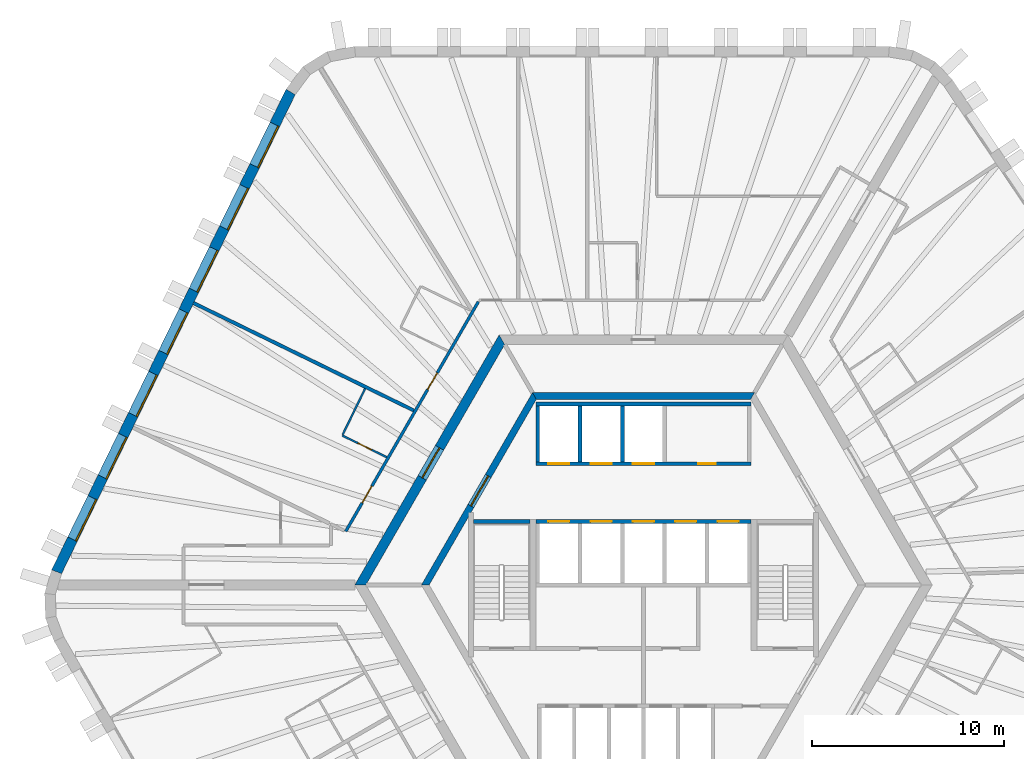
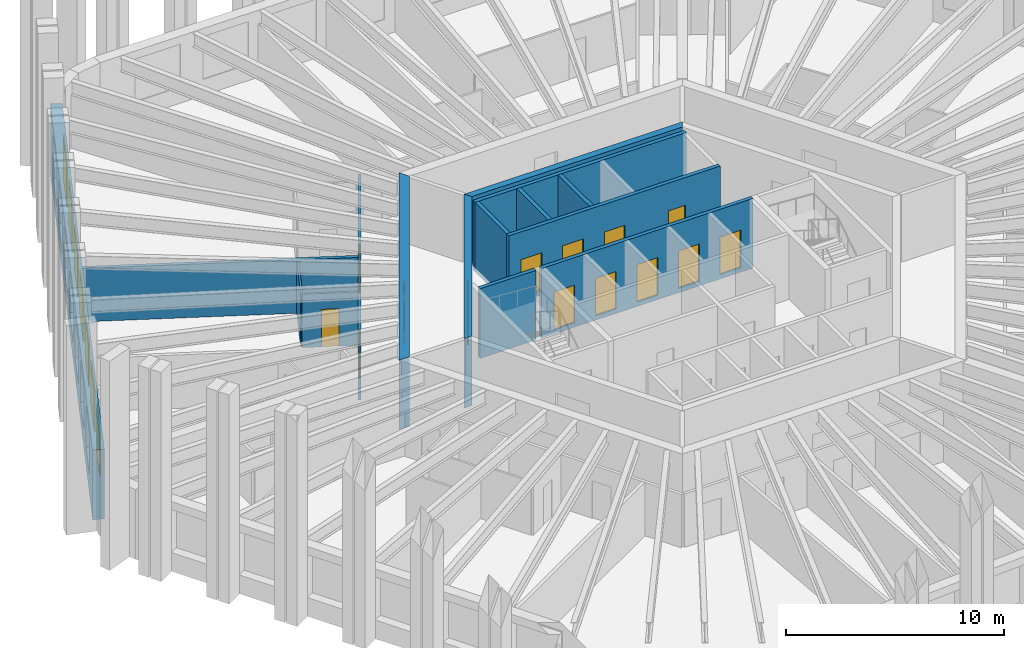
# One storey, part 6 of 10: 15 walls, 14 doors, 7 windows, 21 openings.
"""IFC4 building model written with IfcOpenShell, lengths in metres."""

import ifcopenshell
import ifcopenshell.guid

model = None  # the IFC model being written
_history = None  # IfcOwnerHistory: only IFC2X3 demands one
_inside = {}  # id of a spatial element -> (the spatial element, [elements in it])
_under = {}  # id of a project, library or spatial element -> (it, [spatial elements below it])
_declared = {}  # id of a project -> (the project, [libraries it declares])
_typed = {}  # id of a type object -> (the type object, [elements of that type])
_made_of = {}  # id of a material, layer set ... -> (it, [elements and type objects made of it])


def new_model(schema):
    """Start an empty IFC model of exactly this schema.

    Asked for "IFC4X3", IfcOpenShell would pick the latest addendum, in which some entities
    have other attributes; the version numbers below select the first issue.
    IFC2X3 requires an IfcOwnerHistory on every rooted entity: one is made here for all.
    """
    global model, _history
    if schema == "IFC4X3":
        model = ifcopenshell.file(schema_version=(4, 3, 0, 0))
    else:
        model = ifcopenshell.file(schema=schema)
    _inside.clear()
    _under.clear()
    _declared.clear()
    _typed.clear()
    _made_of.clear()
    _history = None
    if model.schema == "IFC2X3":
        org = make("IfcOrganization", Name="unknown")
        user = make(
            "IfcPersonAndOrganization",
            ThePerson=make("IfcPerson", FamilyName="unknown"),
            TheOrganization=org,
        )
        app = make(
            "IfcApplication",
            ApplicationDeveloper=org,
            Version="unknown",
            ApplicationFullName="unknown",
            ApplicationIdentifier="unknown",
        )
        _history = make(
            "IfcOwnerHistory",
            OwningUser=user,
            OwningApplication=app,
            ChangeAction="ADDED",
            CreationDate=0,
        )
    return model


def make(cls, **values):
    """One entity of the class cls with the attributes given. An attribute that is None is left unset."""
    return model.create_entity(
        cls, **{name: value for name, value in values.items() if value is not None}
    )


def rooted(cls, **values):
    """An entity with a GlobalId (a new one), such as an element, a storey or a relation."""
    return make(cls, GlobalId=ifcopenshell.guid.new(), OwnerHistory=_history, **values)


def si_unit(unit_type, name, prefix=None):
    """IfcSIUnit, for example si_unit("LENGTHUNIT", "METRE", prefix="MILLI")."""
    return make("IfcSIUnit", UnitType=unit_type, Prefix=prefix, Name=name)


def assignment(units):
    """IfcUnitAssignment: the units of a project."""
    return None if units is None else make("IfcUnitAssignment", Units=units)


def point(xyz):
    """IfcCartesianPoint."""
    return None if xyz is None else make("IfcCartesianPoint", Coordinates=xyz)


def direction(xyz):
    """IfcDirection."""
    return None if xyz is None else make("IfcDirection", DirectionRatios=xyz)


def frame(location, z_axis=None, x_axis=None):
    """IfcAxis2Placement3D, a coordinate frame: its origin and axes. An axis left out is left unset."""
    return make(
        "IfcAxis2Placement3D",
        Location=point(location),
        Axis=direction(z_axis),
        RefDirection=direction(x_axis),
    )


def frame_2d(location, x_axis=None):
    """IfcAxis2Placement2D, a coordinate frame in the plane: its origin and x axis."""
    return make(
        "IfcAxis2Placement2D", Location=point(location), RefDirection=direction(x_axis)
    )


def origin():
    """The frame at (0, 0, 0) with its axes left unset."""
    return frame((0.0, 0.0, 0.0))


def place(relative_to, where):
    """IfcLocalPlacement: puts the frame where relative to a parent placement (None: the world)."""
    return make(
        "IfcLocalPlacement", PlacementRelTo=relative_to, RelativePlacement=where
    )


def context(
    kind, dimensions, precision=None, world=None, true_north=None, identifier=None
):
    """IfcGeometricRepresentationContext, for example the 3D "Model" context."""
    return make(
        "IfcGeometricRepresentationContext",
        ContextIdentifier=identifier,
        ContextType=kind,
        CoordinateSpaceDimension=dimensions,
        Precision=precision,
        WorldCoordinateSystem=world,
        TrueNorth=true_north,
    )


def subcontext(parent, identifier, kind, view, scale=None):
    """IfcGeometricRepresentationSubContext, for example "Body" below "Model"."""
    return make(
        "IfcGeometricRepresentationSubContext",
        ContextIdentifier=identifier,
        ContextType=kind,
        ParentContext=parent,
        TargetScale=scale,
        TargetView=view,
    )


def project(units=None, contexts=None):
    """IfcProject with its units and contexts."""
    return rooted(
        "IfcProject",
        Name="project",
        RepresentationContexts=contexts,
        UnitsInContext=assignment(units),
    )


def spatial(cls, under=None, at=None, **own):
    """A site, building, storey or space (cls), placed at a placement, below another one or the project."""
    s = rooted(cls, ObjectPlacement=at, **own)
    if under is not None:
        _under.setdefault(under.id(), (under, []))[1].append(s)
    return s


def polyline(points):
    """IfcPolyline through the points."""
    return make("IfcPolyline", Points=[point(p) for p in points])


def profile(cls, at=None, kind="AREA", **sizes):
    """A parametric profile (cls). Its sizes go by their IFC names, for example OverallWidth=200.0."""
    return make(cls, ProfileType=kind, Position=at, **sizes)


def rectangle(**sizes):
    """IfcRectangleProfileDef."""
    return profile("IfcRectangleProfileDef", **sizes)


def outline(outer, holes=None, kind="AREA"):
    """IfcArbitraryClosedProfileDef: a profile drawn as a closed curve; with holes, ...WithVoids."""
    if holes is None:
        return make("IfcArbitraryClosedProfileDef", ProfileType=kind, OuterCurve=outer)
    return make(
        "IfcArbitraryProfileDefWithVoids",
        ProfileType=kind,
        OuterCurve=outer,
        InnerCurves=holes,
    )


def extrude(swept, where, along, depth):
    """IfcExtrudedAreaSolid: the profile swept, set in the frame where, extruded along a direction by depth."""
    return make(
        "IfcExtrudedAreaSolid",
        SweptArea=swept,
        Position=where,
        ExtrudedDirection=direction(along),
        Depth=depth,
    )


def shape(context_of_items, identifier, shape_type, items):
    """IfcShapeRepresentation: the items that make up one representation, for example the "Body"."""
    return make(
        "IfcShapeRepresentation",
        ContextOfItems=context_of_items,
        RepresentationIdentifier=identifier,
        RepresentationType=shape_type,
        Items=items,
    )


def material(Name=None, Category=None):
    """IfcMaterial."""
    return make("IfcMaterial", Name=Name, Category=Category)


def layer(
    of_material, thickness, ventilated=None, Name=None, Category=None, Priority=None
):
    """IfcMaterialLayer: one layer of a wall or slab, of a material (None: an air gap)."""
    return make(
        "IfcMaterialLayer",
        Material=of_material,
        LayerThickness=thickness,
        IsVentilated=ventilated,
        Name=Name,
        Category=Category,
        Priority=Priority,
    )


def layer_set(layers, Name=None):
    """IfcMaterialLayerSet."""
    return make("IfcMaterialLayerSet", MaterialLayers=layers, LayerSetName=Name)


def made_of(thing, what):
    """Note that an element or type object is made of a material, layer set ...; save() writes the relation."""
    if what is not None:
        _made_of.setdefault(what.id(), (what, []))[1].append(thing)
    return thing


def type_object(cls, material=None, **own):
    """A type object (cls), such as IfcWallType, which elements share."""
    return made_of(rooted(cls, **own), material)


def element(
    cls,
    number,
    at=None,
    inside=None,
    cuts=None,
    type_object=None,
    material=None,
    context=None,
    identifier="Body",
    shape_type=None,
    held_by="IfcProductDefinitionShape",
    body=None,
    shapes=None,
    **own,
):
    """One element of the class cls, such as IfcWall. Its Tag is "e" and its number.

    at: its placement. inside: the storey or other place that contains it. cuts: it is an
    opening in that element (IfcRelVoidsElement). A single representation is given by context,
    identifier, shape_type and body (its items); several are given by shapes. held_by: the class
    of the entity that holds the representations. save() writes the other relations.
    """
    e = rooted(cls, Tag="e%d" % number, ObjectPlacement=at, **own)
    if body is not None:
        shapes = [shape(context, identifier, shape_type, body)]
    if shapes is not None:
        e.Representation = make(held_by, Representations=shapes)
    if inside is not None:
        _inside.setdefault(inside.id(), (inside, []))[1].append(e)
    if cuts is not None:
        rooted(
            "IfcRelVoidsElement", RelatingBuildingElement=cuts, RelatedOpeningElement=e
        )
    if type_object is not None:
        _typed.setdefault(type_object.id(), (type_object, []))[1].append(e)
    return made_of(e, material)


def fill(opening, filler):
    """IfcRelFillsElement: the door or window that sits in an opening."""
    return rooted(
        "IfcRelFillsElement",
        RelatingOpeningElement=opening,
        RelatedBuildingElement=filler,
    )


def aggregate(whole, parts):
    """IfcRelAggregates: a whole, such as a stair, and the parts it consists of."""
    return rooted("IfcRelAggregates", RelatingObject=whole, RelatedObjects=parts)


def save(model, path):
    """Write the relations noted so far, then the file.

    IfcRelAggregates (storeys below a building ...), IfcRelContainedInSpatialStructure (elements
    in a storey), IfcRelDefinesByType, IfcRelAssociatesMaterial and IfcRelDeclares: one each for
    every whole, place, type object, material and project.
    """
    for whole, parts in _under.values():
        aggregate(whole, parts)
    for where, things in _inside.values():
        rooted(
            "IfcRelContainedInSpatialStructure",
            RelatedElements=things,
            RelatingStructure=where,
        )
    for kind, things in _typed.values():
        rooted("IfcRelDefinesByType", RelatedObjects=things, RelatingType=kind)
    for what, things in _made_of.values():
        rooted("IfcRelAssociatesMaterial", RelatedObjects=things, RelatingMaterial=what)
    for by, libraries in _declared.values():
        rooted("IfcRelDeclares", RelatingContext=by, RelatedDefinitions=libraries)
    model.write(path)


model = new_model("IFC4")

# Units and contexts
model_context = context("Model", 3, precision=1e-05, world=origin(), true_north=direction((0.0, 1.0)))
body_context = subcontext(model_context, "Body", "Model", "MODEL_VIEW")
ifc_project = project(units=[si_unit("LENGTHUNIT", "METRE"), si_unit("AREAUNIT", "SQUARE_METRE"), si_unit("VOLUMEUNIT", "CUBIC_METRE"), si_unit("PLANEANGLEUNIT", "RADIAN"), si_unit("MASSUNIT", "GRAM", prefix="KILO")], contexts=[model_context])

# Site, building, storey
site_placement = place(None, origin())
site = spatial("IfcSite", under=ifc_project, at=site_placement, CompositionType="ELEMENT")
building_placement = place(site_placement, origin())
building = spatial("IfcBuilding", under=site, at=building_placement, Name="Tarnside Tower", CompositionType="ELEMENT")
storey_placement = place(building_placement, frame((0.0, 0.0, 226.800048828125)))
storey = spatial("IfcBuildingStorey", under=building, at=storey_placement, Name="L54", CompositionType="ELEMENT", Elevation=226.800048828125)

# Wall, opening, door
ifc_material_1 = material(Name="Gypsum board partition on steel studs", Category="steel")
ifc_layer_1 = layer(ifc_material_1, 0.10009765625)
ifc_layer_set_1 = layer_set([ifc_layer_1], Name="Bathroom wall 100")
wall_type_1 = type_object("IfcWallType", Name="Bathroom wall 100", PredefinedType="PARTITIONING", material=ifc_layer_set_1)
wall_1_placement = place(storey_placement, frame((-13.343017578125, 6.63916015625, 0.0), z_axis=(0.0, 0.0, 1.0), x_axis=(-0.898792082907, 0.438375172318, 0.0)))
wall_1 = element("IfcWall", 1, at=wall_1_placement, inside=storey, type_object=wall_type_1, Name="Bathroom wall 18064", PredefinedType="PARTITIONING", context=body_context, shape_type="SweptSolid", body=[
    extrude(rectangle(XDim=2.580810546875, YDim=0.10009765625, at=frame_2d((1.29052734375, 0.0))), origin(), (0.0, 0.0, 1.0), 2.98779296875),
])
opening_1_placement = place(wall_1_placement, frame((0.880859375, 0.0, 0.0)))
opening_1 = element("IfcOpeningElement", 2, at=opening_1_placement, cuts=wall_1, Name="Opening D-B1", PredefinedType="OPENING", context=body_context, shape_type="SweptSolid", body=[
    extrude(rectangle(XDim=0.800048828125, YDim=2.10009765625, at=frame_2d((0.39990234375, 1.050048828125))), frame((0.0, 0.06005859375, 0.0), z_axis=(0.0, -1.0, 0.0), x_axis=(1.0, 0.0, 0.0)), (0.0, 0.0, 1.0), 0.1201171875),
])
ifc_material_2 = material(Name="Timber door leaf", Category="wood")
door_type_1 = type_object("IfcDoorType", Name="Bathroom door 800", OperationType="NOTDEFINED", PredefinedType="DOOR", material=ifc_material_2)
door_1_placement = place(opening_1_placement, origin())
door_1 = element("IfcDoor", 3, at=door_1_placement, inside=storey, type_object=door_type_1, Name="Bathroom door 18009", OperationType="SINGLE_SWING_RIGHT", OverallHeight=2.10009765625, OverallWidth=0.800048828125, PredefinedType="DOOR", context=body_context, shape_type="SweptSolid", body=[
    extrude(rectangle(XDim=0.800048828125, YDim=2.10009765625, at=frame_2d((0.39990234375, 1.050048828125))), frame((0.0, 0.02490234375, 0.0), z_axis=(0.0, -1.0, 0.0), x_axis=(1.0, 0.0, 0.0)), (0.0, 0.0, 1.0), 0.050048828125),
])
fill(opening_1, door_1)

# Wall
wall_2_placement = place(storey_placement, frame((-15.640625, 7.8154296875, 0.0), z_axis=(0.0, 0.0, 1.0), x_axis=(0.438380229518, 0.898789616299, 0.0)))
element("IfcWall", 4, at=wall_2_placement, inside=storey, type_object=wall_type_1, Name="Bathroom wall 18065", PredefinedType="PARTITIONING", context=body_context, shape_type="SweptSolid", body=[
    extrude(rectangle(XDim=2.659912109375, YDim=0.10009765625, at=frame_2d((1.330078125, 0.0))), origin(), (0.0, 0.0, 1.0), 2.98779296875),
])

# Wall, opening, door
ifc_material_3 = material(Name="Concrete C50/60", Category="concrete")
ifc_layer_2 = layer(ifc_material_3, 0.35009765625)
ifc_layer_set_2 = layer_set([ifc_layer_2], Name="Core block wall 350 C50/60")
wall_type_2 = type_object("IfcWallType", Name="Core block wall 350 C50/60", PredefinedType="SHEAR", material=ifc_layer_set_2)
wall_3_placement = place(storey_placement, frame((-5.672607421875, 9.824951171875, -0.150146484375), z_axis=(0.0, 0.0, 1.0), x_axis=(-0.499995046907, -0.866028263435, 0.0)))
wall_3 = element("IfcWall", 5, at=wall_3_placement, inside=storey, type_object=wall_type_2, Name="L54 core block wall face 2", PredefinedType="SHEAR", context=body_context, shape_type="SweptSolid", body=[
    extrude(outline(polyline([(-0.10107421875, -0.175048828125), (11.44580078125, -0.175048828125), (11.24365234375, 0.175048828125), (0.10107421875, 0.175048828125), (-0.10107421875, -0.175048828125)])), origin(), (0.0, 0.0, 1.0), 3.900146484375),
])
opening_2_placement = place(wall_3_placement, frame((4.80126953125, 0.0, 0.14990234375)))
opening_2 = element("IfcOpeningElement", 6, at=opening_2_placement, cuts=wall_3, Name="Opening CD-LOB", PredefinedType="OPENING", context=body_context, shape_type="SweptSolid", body=[
    extrude(rectangle(XDim=1.800048828125, YDim=2.39990234375, at=frame_2d((0.89990234375, 1.199951171875))), frame((0.0, 0.18505859375, 0.0), z_axis=(0.0, -1.0, 0.0), x_axis=(1.0, 0.0, 0.0)), (0.0, 0.0, 1.0), 0.3701171875),
])
ifc_material_4 = material(Name="Steel fire door", Category="steel")
door_type_2 = type_object("IfcDoorType", Name="Lobby double door FD30S 1800x2400", OperationType="NOTDEFINED", PredefinedType="DOOR", material=ifc_material_4)
door_2_placement = place(opening_2_placement, origin())
door_2 = element("IfcDoor", 7, at=door_2_placement, inside=storey, type_object=door_type_2, Name="L54 lobby block door P1", OperationType="DOUBLE_DOOR_SINGLE_SWING", OverallHeight=2.39990234375, OverallWidth=1.800048828125, PredefinedType="DOOR", context=body_context, shape_type="SweptSolid", body=[
    extrude(rectangle(XDim=1.800048828125, YDim=2.39990234375, at=frame_2d((0.89990234375, 1.199951171875))), frame((0.0, 0.02490234375, 0.0), z_axis=(0.0, -1.0, 0.0), x_axis=(1.0, 0.0, 0.0)), (0.0, 0.0, 1.0), 0.050048828125),
])
fill(opening_2, door_2)

# Wall
wall_4_placement = place(storey_placement, frame((5.672607421875, 9.824951171875, -0.150146484375), z_axis=(0.0, 0.0, 1.0), x_axis=(-1.0, 0.0, 0.0)))
element("IfcWall", 8, at=wall_4_placement, inside=storey, type_object=wall_type_2, Name="L54 core block wall face 1", PredefinedType="SHEAR", context=body_context, shape_type="SweptSolid", body=[
    extrude(outline(polyline([(-0.10107421875, -0.175048828125), (11.4462890625, -0.175048828125), (11.244140625, 0.175048828125), (0.10107421875, 0.175048828125), (-0.10107421875, -0.175048828125)])), origin(), (0.0, 0.0, 1.0), 3.900146484375),
])

# Wall, opening, door
ifc_material_5 = material(Name="Concrete C70/85", Category="concrete")
ifc_layer_3 = layer(ifc_material_5, 0.5)
ifc_layer_set_3 = layer_set([ifc_layer_3], Name="Core wall Z2 500 C70/85")
wall_type_3 = type_object("IfcWallType", Name="Core wall Z2 500 C70/85", PredefinedType="SHEAR", material=ifc_layer_set_3)
wall_5_placement = place(storey_placement, frame((-7.361083984375, 12.75, -0.150146484375), z_axis=(0.0, 0.0, 1.0), x_axis=(-0.50000571537, -0.866022103989, 0.0)))
wall_5 = element("IfcWall", 9, at=wall_5_placement, inside=storey, type_object=wall_type_3, Name="L54 core wall face 2", PredefinedType="SHEAR", context=body_context, shape_type="SweptSolid", body=[
    extrude(outline(polyline([(-0.144287109375, -0.25), (14.86669921875, -0.25), (14.578125, 0.25), (0.144287109375, 0.25), (-0.144287109375, -0.25)])), origin(), (0.0, 0.0, 1.0), 3.900146484375),
])
opening_3_placement = place(wall_5_placement, frame((6.489990234375, 0.0, 0.14990234375)))
opening_3 = element("IfcOpeningElement", 10, at=opening_3_placement, cuts=wall_5, Name="Opening CD-LOB", PredefinedType="OPENING", context=body_context, shape_type="SweptSolid", body=[
    extrude(rectangle(XDim=1.800048828125, YDim=2.39990234375, at=frame_2d((0.89990234375, 1.199951171875))), frame((0.0, 0.260009765625, 0.0), z_axis=(0.0, -1.0, 0.0), x_axis=(1.0, 0.0, 0.0)), (0.0, 0.0, 1.0), 0.52001953125),
])
door_3_placement = place(opening_3_placement, origin())
door_3 = element("IfcDoor", 11, at=door_3_placement, inside=storey, type_object=door_type_2, Name="L54 core door P1", OperationType="DOUBLE_DOOR_SINGLE_SWING", OverallHeight=2.39990234375, OverallWidth=1.800048828125, PredefinedType="DOOR", context=body_context, shape_type="SweptSolid", body=[
    extrude(rectangle(XDim=1.800048828125, YDim=2.39990234375, at=frame_2d((0.89990234375, 1.199951171875))), frame((0.0, 0.02490234375, 0.0), z_axis=(0.0, -1.0, 0.0), x_axis=(1.0, 0.0, 0.0)), (0.0, 0.0, 1.0), 0.050048828125),
])
fill(opening_3, door_3)

# Wall, openings, doors
ifc_layer_4 = layer(ifc_material_1, 0.14990234375)
ifc_layer_set_4 = layer_set([ifc_layer_4], Name="Corridor wall 150 EI 60")
wall_type_4 = type_object("IfcWallType", Name="Corridor wall 150 EI 60", PredefinedType="PARTITIONING", material=ifc_layer_set_4)
wall_6_placement = place(storey_placement, frame((-8.588134765625, 14.72509765625, 0.0), z_axis=(0.0, 0.0, 1.0), x_axis=(-0.499999926766, -0.866025446066, 0.0)))
wall_6 = element("IfcWall", 12, at=wall_6_placement, inside=storey, type_object=wall_type_4, Name="Corridor wall 18008", PredefinedType="PARTITIONING", context=body_context, shape_type="SweptSolid", body=[
    extrude(rectangle(XDim=13.78564453125, YDim=0.14990234375, at=frame_2d((6.892822265625, 0.0))), origin(), (0.0, 0.0, 1.0), 2.98779296875),
])
opening_4_placement = place(wall_6_placement, frame((4.275634765625, 0.0, 0.0)))
opening_4 = element("IfcOpeningElement", 13, at=opening_4_placement, cuts=wall_6, Name="Opening D-E1", PredefinedType="OPENING", context=body_context, shape_type="SweptSolid", body=[
    extrude(rectangle(XDim=1.0, YDim=2.10009765625, at=frame_2d((0.5, 1.050048828125))), frame((0.0, 0.0849609375, 0.0), z_axis=(0.0, -1.0, 0.0), x_axis=(1.0, 0.0, 0.0)), (0.0, 0.0, 1.0), 0.169921875),
])
opening_5_placement = place(wall_6_placement, frame((11.073486328125, 0.0, 0.0)))
opening_5 = element("IfcOpeningElement", 14, at=opening_5_placement, cuts=wall_6, Name="Opening D-E1", PredefinedType="OPENING", context=body_context, shape_type="SweptSolid", body=[
    extrude(rectangle(XDim=1.0, YDim=2.10009765625, at=frame_2d((0.5, 1.050048828125))), frame((0.0, 0.0849609375, 0.0), z_axis=(0.0, -1.0, 0.0), x_axis=(1.0, 0.0, 0.0)), (0.0, 0.0, 1.0), 0.169921875),
])
door_type_3 = type_object("IfcDoorType", Name="Unit entrance door 1000 FD30S", OperationType="NOTDEFINED", PredefinedType="DOOR", material=ifc_material_2)
door_4_placement = place(opening_4_placement, origin())
door_4 = element("IfcDoor", 15, at=door_4_placement, inside=storey, type_object=door_type_3, Name="Unit door 18006", OperationType="SINGLE_SWING_LEFT", OverallHeight=2.10009765625, OverallWidth=1.0, PredefinedType="DOOR", context=body_context, shape_type="SweptSolid", body=[
    extrude(rectangle(XDim=1.0, YDim=2.10009765625, at=frame_2d((0.5, 1.050048828125))), frame((0.0, 0.02490234375, 0.0), z_axis=(0.0, -1.0, 0.0), x_axis=(1.0, 0.0, 0.0)), (0.0, 0.0, 1.0), 0.050048828125),
])
fill(opening_4, door_4)
door_5_placement = place(opening_5_placement, origin())
door_5 = element("IfcDoor", 16, at=door_5_placement, inside=storey, type_object=door_type_3, Name="Unit door 18008", OperationType="SINGLE_SWING_LEFT", OverallHeight=2.10009765625, OverallWidth=1.0, PredefinedType="DOOR", context=body_context, shape_type="SweptSolid", body=[
    extrude(rectangle(XDim=1.0, YDim=2.10009765625, at=frame_2d((0.5, 1.050048828125))), frame((0.0, 0.02490234375, 0.0), z_axis=(0.0, -1.0, 0.0), x_axis=(1.0, 0.0, 0.0)), (0.0, 0.0, 1.0), 0.050048828125),
])
fill(opening_5, door_5)

# Wall
ifc_layer_5 = layer(ifc_material_1, 0.179931640625)
ifc_layer_set_5 = layer_set([ifc_layer_5], Name="Demising wall 180 EI 60")
wall_type_5 = type_object("IfcWallType", Name="Demising wall 180 EI 60", PredefinedType="PARTITIONING", material=ifc_layer_set_5)
wall_7_placement = place(storey_placement, frame((-23.392822265625, 14.656005859375, 0.0), z_axis=(0.0, 0.0, 1.0), x_axis=(0.898790356386, -0.438378712152, 0.0)))
element("IfcWall", 17, at=wall_7_placement, inside=storey, type_object=wall_type_5, Name="Demising wall 18062", PredefinedType="PARTITIONING", context=body_context, shape_type="SweptSolid", body=[
    extrude(rectangle(XDim=12.742919921875, YDim=0.179931640625, at=frame_2d((6.37158203125, 0.0))), origin(), (0.0, 0.0, 1.0), 2.98779296875),
])

# Wall, openings, doors
ifc_material_6 = material(Name="Concrete C40/50", Category="concrete")
ifc_layer_6 = layer(ifc_material_6, 0.199951171875)
ifc_layer_set_6 = layer_set([ifc_layer_6], Name="Lift shaft wall 200 C40/50")
wall_type_6 = type_object("IfcWallType", Name="Lift shaft wall 200 C40/50", PredefinedType="SHEAR", material=ifc_layer_set_6)
wall_8_placement = place(storey_placement, frame((-5.60009765625, 6.300048828125, -0.25), z_axis=(0.0, 0.0, 1.0), x_axis=(1.0, 0.0, 0.0)))
wall_8 = element("IfcWall", 18, at=wall_8_placement, inside=storey, type_object=wall_type_6, Name="L54 lift shaft front wall R1", PredefinedType="SHEAR", context=body_context, shape_type="SweptSolid", body=[
    extrude(rectangle(XDim=11.2001953125, YDim=0.199951171875, at=frame_2d((5.60009765625, 0.0))), origin(), (0.0, 0.0, 1.0), 3.89990234375),
])
opening_6_placement = place(wall_8_placement, frame((8.449951171875, 0.0, 0.25)))
opening_6 = element("IfcOpeningElement", 19, at=opening_6_placement, cuts=wall_8, Name="Opening CD-room", PredefinedType="OPENING", context=body_context, shape_type="SweptSolid", body=[
    extrude(rectangle(XDim=0.89990234375, YDim=2.10009765625, at=frame_2d((0.449951171875, 1.050048828125))), frame((0.0, 0.10986328125, 0.0), z_axis=(0.0, -1.0, 0.0), x_axis=(1.0, 0.0, 0.0)), (0.0, 0.0, 1.0), 0.219970703125),
])
opening_7_placement = place(wall_8_placement, frame((0.64990234375, 0.0, 0.25)))
opening_7 = element("IfcOpeningElement", 20, at=opening_7_placement, cuts=wall_8, Name="Opening LD", PredefinedType="OPENING", context=body_context, shape_type="SweptSolid", body=[
    extrude(rectangle(XDim=1.10009765625, YDim=2.10009765625, at=frame_2d((0.550048828125, 1.050048828125))), frame((0.0, 0.10986328125, 0.0), z_axis=(0.0, -1.0, 0.0), x_axis=(1.0, 0.0, 0.0)), (0.0, 0.0, 1.0), 0.219970703125),
])
opening_8_placement = place(wall_8_placement, frame((2.85009765625, 0.0, 0.25)))
opening_8 = element("IfcOpeningElement", 21, at=opening_8_placement, cuts=wall_8, Name="Opening LD", PredefinedType="OPENING", context=body_context, shape_type="SweptSolid", body=[
    extrude(rectangle(XDim=1.10009765625, YDim=2.10009765625, at=frame_2d((0.550048828125, 1.050048828125))), frame((0.0, 0.10986328125, 0.0), z_axis=(0.0, -1.0, 0.0), x_axis=(1.0, 0.0, 0.0)), (0.0, 0.0, 1.0), 0.219970703125),
])
opening_9_placement = place(wall_8_placement, frame((5.050048828125, 0.0, 0.25)))
opening_9 = element("IfcOpeningElement", 22, at=opening_9_placement, cuts=wall_8, Name="Opening LD", PredefinedType="OPENING", context=body_context, shape_type="SweptSolid", body=[
    extrude(rectangle(XDim=1.10009765625, YDim=2.10009765625, at=frame_2d((0.550048828125, 1.050048828125))), frame((0.0, 0.10986328125, 0.0), z_axis=(0.0, -1.0, 0.0), x_axis=(1.0, 0.0, 0.0)), (0.0, 0.0, 1.0), 0.219970703125),
])
ifc_material_7 = material(Name="Stainless steel", Category="steel")
door_type_4 = type_object("IfcDoorType", Name="Lift landing door 1100x2100", OperationType="NOTDEFINED", PredefinedType="DOOR", material=ifc_material_7)
door_6_placement = place(opening_7_placement, origin())
door_6 = element("IfcDoor", 23, at=door_6_placement, inside=storey, type_object=door_type_4, Name="Mid-rise lift 1 landing door L54", OperationType="SLIDING_TO_LEFT", OverallHeight=2.10009765625, OverallWidth=1.10009765625, PredefinedType="DOOR", context=body_context, shape_type="SweptSolid", body=[
    extrude(rectangle(XDim=1.10009765625, YDim=2.10009765625, at=frame_2d((0.550048828125, 1.050048828125))), frame((0.0, 0.02490234375, 0.0), z_axis=(0.0, -1.0, 0.0), x_axis=(1.0, 0.0, 0.0)), (0.0, 0.0, 1.0), 0.050048828125),
])
fill(opening_7, door_6)
door_7_placement = place(opening_8_placement, origin())
door_7 = element("IfcDoor", 24, at=door_7_placement, inside=storey, type_object=door_type_4, Name="Mid-rise lift 2 landing door L54", OperationType="SLIDING_TO_LEFT", OverallHeight=2.10009765625, OverallWidth=1.10009765625, PredefinedType="DOOR", context=body_context, shape_type="SweptSolid", body=[
    extrude(rectangle(XDim=1.10009765625, YDim=2.10009765625, at=frame_2d((0.550048828125, 1.050048828125))), frame((0.0, 0.02490234375, 0.0), z_axis=(0.0, -1.0, 0.0), x_axis=(1.0, 0.0, 0.0)), (0.0, 0.0, 1.0), 0.050048828125),
])
fill(opening_8, door_7)
door_8_placement = place(opening_9_placement, origin())
door_8 = element("IfcDoor", 25, at=door_8_placement, inside=storey, type_object=door_type_4, Name="Mid-rise lift 3 landing door L54", OperationType="SLIDING_TO_LEFT", OverallHeight=2.10009765625, OverallWidth=1.10009765625, PredefinedType="DOOR", context=body_context, shape_type="SweptSolid", body=[
    extrude(rectangle(XDim=1.10009765625, YDim=2.10009765625, at=frame_2d((0.550048828125, 1.050048828125))), frame((0.0, 0.02490234375, 0.0), z_axis=(0.0, -1.0, 0.0), x_axis=(1.0, 0.0, 0.0)), (0.0, 0.0, 1.0), 0.050048828125),
])
fill(opening_9, door_8)
door_type_5 = type_object("IfcDoorType", Name="Room door FD60 900x2100", OperationType="NOTDEFINED", PredefinedType="DOOR", material=ifc_material_4)
door_9_placement = place(opening_6_placement, origin())
door_9 = element("IfcDoor", 26, at=door_9_placement, inside=storey, type_object=door_type_5, Name="L54 core room door FC1", OperationType="SINGLE_SWING_LEFT", OverallHeight=2.10009765625, OverallWidth=0.89990234375, PredefinedType="DOOR", context=body_context, shape_type="SweptSolid", body=[
    extrude(rectangle(XDim=0.89990234375, YDim=2.10009765625, at=frame_2d((0.449951171875, 1.050048828125))), frame((0.0, 0.02490234375, 0.0), z_axis=(0.0, -1.0, 0.0), x_axis=(1.0, 0.0, 0.0)), (0.0, 0.0, 1.0), 0.050048828125),
])
fill(opening_6, door_9)

# Walls
wall_9_placement = place(storey_placement, frame((-5.60009765625, 9.39990234375, -0.25), z_axis=(0.0, 0.0, 1.0), x_axis=(1.0, 0.0, 0.0)))
element("IfcWall", 27, at=wall_9_placement, inside=storey, type_object=wall_type_6, Name="L54 lift shaft back wall R1", PredefinedType="SHEAR", context=body_context, shape_type="SweptSolid", body=[
    extrude(rectangle(XDim=11.2001953125, YDim=0.199951171875, at=frame_2d((5.60009765625, 0.0))), origin(), (0.0, 0.0, 1.0), 3.89990234375),
])
for number, where, z_axis, x_axis, name in (
    (28, (-5.5, 6.39990234375, -0.25), (0.0, 0.0, 1.0), (0.0, 1.0, 0.0), "L54 lift shaft partition R11"),
    (29, (-3.300048828125, 6.39990234375, -0.25), (0.0, 0.0, 1.0), (0.0, 1.0, 0.0), "L54 lift shaft partition R12"),
    (30, (-1.10009765625, 6.39990234375, -0.25), (0.0, 0.0, 1.0), (0.0, 1.0, 0.0), "L54 lift shaft partition R13"),
):
    element("IfcWall", number, at=place(storey_placement, frame(where, z_axis=z_axis, x_axis=x_axis)), inside=storey, type_object=wall_type_6, Name=name, PredefinedType="SHEAR", context=body_context, shape_type="SweptSolid", body=[
        extrude(rectangle(XDim=2.900146484375, YDim=0.199951171875, at=frame_2d((1.4501953125, 0.0))), origin(), (0.0, 0.0, 1.0), 3.89990234375),
    ])

# Wall, openings, doors
wall_10_placement = place(storey_placement, frame((-5.60009765625, 3.300048828125, -0.25), z_axis=(0.0, 0.0, 1.0), x_axis=(1.0, 0.0, 0.0)))
wall_10 = element("IfcWall", 31, at=wall_10_placement, inside=storey, type_object=wall_type_6, Name="L54 lift shaft front wall R2", PredefinedType="SHEAR", context=body_context, shape_type="SweptSolid", body=[
    extrude(rectangle(XDim=11.2001953125, YDim=0.199951171875, at=frame_2d((5.60009765625, 0.0))), origin(), (0.0, 0.0, 1.0), 3.89990234375),
])
opening_10_placement = place(wall_10_placement, frame((0.64990234375, 0.0, 0.25)))
opening_10 = element("IfcOpeningElement", 32, at=opening_10_placement, cuts=wall_10, Name="Opening LD", PredefinedType="OPENING", context=body_context, shape_type="SweptSolid", body=[
    extrude(rectangle(XDim=1.10009765625, YDim=2.10009765625, at=frame_2d((0.550048828125, 1.050048828125))), frame((0.0, 0.10986328125, 0.0), z_axis=(0.0, -1.0, 0.0), x_axis=(1.0, 0.0, 0.0)), (0.0, 0.0, 1.0), 0.219970703125),
])
opening_11_placement = place(wall_10_placement, frame((2.85009765625, 0.0, 0.25)))
opening_11 = element("IfcOpeningElement", 33, at=opening_11_placement, cuts=wall_10, Name="Opening LD", PredefinedType="OPENING", context=body_context, shape_type="SweptSolid", body=[
    extrude(rectangle(XDim=1.10009765625, YDim=2.10009765625, at=frame_2d((0.550048828125, 1.050048828125))), frame((0.0, 0.10986328125, 0.0), z_axis=(0.0, -1.0, 0.0), x_axis=(1.0, 0.0, 0.0)), (0.0, 0.0, 1.0), 0.219970703125),
])
opening_12_placement = place(wall_10_placement, frame((5.050048828125, 0.0, 0.25)))
opening_12 = element("IfcOpeningElement", 34, at=opening_12_placement, cuts=wall_10, Name="Opening LD", PredefinedType="OPENING", context=body_context, shape_type="SweptSolid", body=[
    extrude(rectangle(XDim=1.10009765625, YDim=2.10009765625, at=frame_2d((0.550048828125, 1.050048828125))), frame((0.0, 0.10986328125, 0.0), z_axis=(0.0, -1.0, 0.0), x_axis=(1.0, 0.0, 0.0)), (0.0, 0.0, 1.0), 0.219970703125),
])
opening_13_placement = place(wall_10_placement, frame((7.25, 0.0, 0.25)))
opening_13 = element("IfcOpeningElement", 35, at=opening_13_placement, cuts=wall_10, Name="Opening LD", PredefinedType="OPENING", context=body_context, shape_type="SweptSolid", body=[
    extrude(rectangle(XDim=1.10009765625, YDim=2.10009765625, at=frame_2d((0.550048828125, 1.050048828125))), frame((0.0, 0.10986328125, 0.0), z_axis=(0.0, -1.0, 0.0), x_axis=(1.0, 0.0, 0.0)), (0.0, 0.0, 1.0), 0.219970703125),
])
opening_14_placement = place(wall_10_placement, frame((9.449951171875, 0.0, 0.25)))
opening_14 = element("IfcOpeningElement", 36, at=opening_14_placement, cuts=wall_10, Name="Opening LD", PredefinedType="OPENING", context=body_context, shape_type="SweptSolid", body=[
    extrude(rectangle(XDim=1.10009765625, YDim=2.10009765625, at=frame_2d((0.550048828125, 1.050048828125))), frame((0.0, 0.10986328125, 0.0), z_axis=(0.0, -1.0, 0.0), x_axis=(1.0, 0.0, 0.0)), (0.0, 0.0, 1.0), 0.219970703125),
])
door_10_placement = place(opening_10_placement, origin())
door_10 = element("IfcDoor", 37, at=door_10_placement, inside=storey, type_object=door_type_4, Name="Mid-rise lift 4 landing door L54", OperationType="SLIDING_TO_LEFT", OverallHeight=2.10009765625, OverallWidth=1.10009765625, PredefinedType="DOOR", context=body_context, shape_type="SweptSolid", body=[
    extrude(rectangle(XDim=1.10009765625, YDim=2.10009765625, at=frame_2d((0.550048828125, 1.050048828125))), frame((0.0, 0.02490234375, 0.0), z_axis=(0.0, -1.0, 0.0), x_axis=(1.0, 0.0, 0.0)), (0.0, 0.0, 1.0), 0.050048828125),
])
fill(opening_10, door_10)
door_11_placement = place(opening_11_placement, origin())
door_11 = element("IfcDoor", 38, at=door_11_placement, inside=storey, type_object=door_type_4, Name="Mid-rise lift 5 landing door L54", OperationType="SLIDING_TO_LEFT", OverallHeight=2.10009765625, OverallWidth=1.10009765625, PredefinedType="DOOR", context=body_context, shape_type="SweptSolid", body=[
    extrude(rectangle(XDim=1.10009765625, YDim=2.10009765625, at=frame_2d((0.550048828125, 1.050048828125))), frame((0.0, 0.02490234375, 0.0), z_axis=(0.0, -1.0, 0.0), x_axis=(1.0, 0.0, 0.0)), (0.0, 0.0, 1.0), 0.050048828125),
])
fill(opening_11, door_11)
door_12_placement = place(opening_12_placement, origin())
door_12 = element("IfcDoor", 39, at=door_12_placement, inside=storey, type_object=door_type_4, Name="Mid-rise lift 6 landing door L54", OperationType="SLIDING_TO_LEFT", OverallHeight=2.10009765625, OverallWidth=1.10009765625, PredefinedType="DOOR", context=body_context, shape_type="SweptSolid", body=[
    extrude(rectangle(XDim=1.10009765625, YDim=2.10009765625, at=frame_2d((0.550048828125, 1.050048828125))), frame((0.0, 0.02490234375, 0.0), z_axis=(0.0, -1.0, 0.0), x_axis=(1.0, 0.0, 0.0)), (0.0, 0.0, 1.0), 0.050048828125),
])
fill(opening_12, door_12)
door_13_placement = place(opening_13_placement, origin())
door_13 = element("IfcDoor", 40, at=door_13_placement, inside=storey, type_object=door_type_4, Name="High sky-lobby shuttle 1 landing door L54", OperationType="SLIDING_TO_LEFT", OverallHeight=2.10009765625, OverallWidth=1.10009765625, PredefinedType="DOOR", context=body_context, shape_type="SweptSolid", body=[
    extrude(rectangle(XDim=1.10009765625, YDim=2.10009765625, at=frame_2d((0.550048828125, 1.050048828125))), frame((0.0, 0.02490234375, 0.0), z_axis=(0.0, -1.0, 0.0), x_axis=(1.0, 0.0, 0.0)), (0.0, 0.0, 1.0), 0.050048828125),
])
fill(opening_13, door_13)
door_14_placement = place(opening_14_placement, origin())
door_14 = element("IfcDoor", 41, at=door_14_placement, inside=storey, type_object=door_type_4, Name="Express sky-lobby shuttle 2 landing door L54", OperationType="SLIDING_TO_LEFT", OverallHeight=2.10009765625, OverallWidth=1.10009765625, PredefinedType="DOOR", context=body_context, shape_type="SweptSolid", body=[
    extrude(rectangle(XDim=1.10009765625, YDim=2.10009765625, at=frame_2d((0.550048828125, 1.050048828125))), frame((0.0, 0.02490234375, 0.0), z_axis=(0.0, -1.0, 0.0), x_axis=(1.0, 0.0, 0.0)), (0.0, 0.0, 1.0), 0.050048828125),
])
fill(opening_14, door_14)

# Wall
wall_11_placement = place(storey_placement, frame((-8.85009765625, 3.300048828125, -0.25), z_axis=(0.0, 0.0, 1.0), x_axis=(1.0, 0.0, 0.0)))
element("IfcWall", 42, at=wall_11_placement, inside=storey, type_object=wall_type_6, Name="L54 stair 2 enclosure cap wall n", PredefinedType="SHEAR", context=body_context, shape_type="SweptSolid", body=[
    extrude(rectangle(XDim=2.9501953125, YDim=0.199951171875, at=frame_2d((1.47509765625, 0.0))), origin(), (0.0, 0.0, 1.0), 3.89990234375),
])

# Wall, openings, windows
ifc_material_8 = material(Name="Facing brick", Category="masonry")
ifc_layer_7 = layer(ifc_material_8, 0.10205078125)
ifc_material_9 = material(Name="Concrete C60/75 precast", Category="concrete")
ifc_layer_8 = layer(ifc_material_9, 0.347900390625)
ifc_material_10 = material(Name="Mineral wool insulation")
ifc_layer_9 = layer(ifc_material_10, 0.10009765625)
ifc_layer_set_7 = layer_set([ifc_layer_7, ifc_layer_8, ifc_layer_9], Name="Tube wall 550 brick faced")
wall_type_7 = type_object("IfcWallType", Name="Tube wall 550 brick faced", PredefinedType="SOLIDWALL", material=ifc_layer_set_7)
wall_12_placement = place(storey_placement, frame((-18.344970703125, 25.6328125, -0.150146484375), z_axis=(0.0, 0.0, 1.0), x_axis=(-0.43837181828, -0.898793718791, 0.0)))
wall_12 = element("IfcWall", 43, at=wall_12_placement, inside=storey, type_object=wall_type_7, Name="Tube wall L54 F2 flush 04", PredefinedType="SOLIDWALL", context=body_context, shape_type="SweptSolid", body=[
    extrude(outline(polyline([(-0.025634765625, -0.27490234375), (27.7802734375, -0.27490234375), (27.7353515625, 0.27490234375), (0.025634765625, 0.27490234375), (-0.025634765625, -0.27490234375)])), origin(), (0.0, 0.0, 1.0), 3.900146484375),
])
opening_15_placement = place(wall_12_placement, frame((1.87890625, 0.0, 1.050048828125)))
opening_15 = element("IfcOpeningElement", 44, at=opening_15_placement, cuts=wall_12, Name="Opening WH", PredefinedType="OPENING", context=body_context, shape_type="SweptSolid", body=[
    extrude(rectangle(XDim=2.39990234375, YDim=2.39990234375, at=frame_2d((1.199951171875, 1.199951171875))), frame((0.0, 0.28515625, 0.0), z_axis=(0.0, -1.0, 0.0), x_axis=(1.0, 0.0, 0.0)), (0.0, 0.0, 1.0), 0.570068359375),
])
opening_16_placement = place(wall_12_placement, frame((5.47900390625, 0.0, 1.050048828125)))
opening_16 = element("IfcOpeningElement", 45, at=opening_16_placement, cuts=wall_12, Name="Opening WH", PredefinedType="OPENING", context=body_context, shape_type="SweptSolid", body=[
    extrude(rectangle(XDim=2.39990234375, YDim=2.39990234375, at=frame_2d((1.199951171875, 1.199951171875))), frame((0.0, 0.28515625, 0.0), z_axis=(0.0, -1.0, 0.0), x_axis=(1.0, 0.0, 0.0)), (0.0, 0.0, 1.0), 0.570068359375),
])
opening_17_placement = place(wall_12_placement, frame((9.078857421875, 0.0, 1.050048828125)))
opening_17 = element("IfcOpeningElement", 46, at=opening_17_placement, cuts=wall_12, Name="Opening WH", PredefinedType="OPENING", context=body_context, shape_type="SweptSolid", body=[
    extrude(rectangle(XDim=2.39990234375, YDim=2.39990234375, at=frame_2d((1.199951171875, 1.199951171875))), frame((0.0, 0.28515625, 0.0), z_axis=(0.0, -1.0, 0.0), x_axis=(1.0, 0.0, 0.0)), (0.0, 0.0, 1.0), 0.570068359375),
])
opening_18_placement = place(wall_12_placement, frame((12.678955078125, 0.0, 1.050048828125)))
opening_18 = element("IfcOpeningElement", 47, at=opening_18_placement, cuts=wall_12, Name="Opening WH", PredefinedType="OPENING", context=body_context, shape_type="SweptSolid", body=[
    extrude(rectangle(XDim=2.39990234375, YDim=2.39990234375, at=frame_2d((1.199951171875, 1.199951171875))), frame((0.0, 0.28515625, 0.0), z_axis=(0.0, -1.0, 0.0), x_axis=(1.0, 0.0, 0.0)), (0.0, 0.0, 1.0), 0.570068359375),
])
opening_19_placement = place(wall_12_placement, frame((16.27880859375, 0.0, 1.050048828125)))
opening_19 = element("IfcOpeningElement", 48, at=opening_19_placement, cuts=wall_12, Name="Opening WH", PredefinedType="OPENING", context=body_context, shape_type="SweptSolid", body=[
    extrude(rectangle(XDim=2.39990234375, YDim=2.39990234375, at=frame_2d((1.199951171875, 1.199951171875))), frame((0.0, 0.28515625, 0.0), z_axis=(0.0, -1.0, 0.0), x_axis=(1.0, 0.0, 0.0)), (0.0, 0.0, 1.0), 0.570068359375),
])
opening_20_placement = place(wall_12_placement, frame((19.87890625, 0.0, 1.050048828125)))
opening_20 = element("IfcOpeningElement", 49, at=opening_20_placement, cuts=wall_12, Name="Opening WH", PredefinedType="OPENING", context=body_context, shape_type="SweptSolid", body=[
    extrude(rectangle(XDim=2.39990234375, YDim=2.39990234375, at=frame_2d((1.199951171875, 1.199951171875))), frame((0.0, 0.28515625, 0.0), z_axis=(0.0, -1.0, 0.0), x_axis=(1.0, 0.0, 0.0)), (0.0, 0.0, 1.0), 0.570068359375),
])
opening_21_placement = place(wall_12_placement, frame((23.47900390625, 0.0, 1.050048828125)))
opening_21 = element("IfcOpeningElement", 50, at=opening_21_placement, cuts=wall_12, Name="Opening WH", PredefinedType="OPENING", context=body_context, shape_type="SweptSolid", body=[
    extrude(rectangle(XDim=2.39990234375, YDim=2.39990234375, at=frame_2d((1.199951171875, 1.199951171875))), frame((0.0, 0.28515625, 0.0), z_axis=(0.0, -1.0, 0.0), x_axis=(1.0, 0.0, 0.0)), (0.0, 0.0, 1.0), 0.570068359375),
])
ifc_material_11 = material(Name="Aluminium-framed double glazing", Category="aluminium")
window_type = type_object("IfcWindowType", Name="Hotel window 2400 x 2400", PartitioningType="DOUBLE_PANEL_VERTICAL", PredefinedType="WINDOW", material=ifc_material_11)
window_1_placement = place(opening_15_placement, frame((0.0, 0.205078125, 0.0)))
window_1 = element("IfcWindow", 51, at=window_1_placement, inside=storey, type_object=window_type, Name="E.WN.L54.F2.00", OverallHeight=2.39990234375, OverallWidth=2.39990234375, PartitioningType="DOUBLE_PANEL_VERTICAL", PredefinedType="WINDOW", context=body_context, shape_type="SweptSolid", body=[
    extrude(rectangle(XDim=2.39990234375, YDim=2.39990234375, at=frame_2d((1.199951171875, 1.199951171875))), frame((0.0, 0.030029296875, 0.0), z_axis=(0.0, -1.0, 0.0), x_axis=(1.0, 0.0, 0.0)), (0.0, 0.0, 1.0), 0.06005859375),
])
fill(opening_15, window_1)
window_2_placement = place(opening_16_placement, frame((0.0, 0.205078125, 0.0)))
window_2 = element("IfcWindow", 52, at=window_2_placement, inside=storey, type_object=window_type, Name="E.WN.L54.F2.01", OverallHeight=2.39990234375, OverallWidth=2.39990234375, PartitioningType="DOUBLE_PANEL_VERTICAL", PredefinedType="WINDOW", context=body_context, shape_type="SweptSolid", body=[
    extrude(rectangle(XDim=2.39990234375, YDim=2.39990234375, at=frame_2d((1.199951171875, 1.199951171875))), frame((0.0, 0.030029296875, 0.0), z_axis=(0.0, -1.0, 0.0), x_axis=(1.0, 0.0, 0.0)), (0.0, 0.0, 1.0), 0.06005859375),
])
fill(opening_16, window_2)
window_3_placement = place(opening_17_placement, frame((0.0, 0.205078125, 0.0)))
window_3 = element("IfcWindow", 53, at=window_3_placement, inside=storey, type_object=window_type, Name="E.WN.L54.F2.02", OverallHeight=2.39990234375, OverallWidth=2.39990234375, PartitioningType="DOUBLE_PANEL_VERTICAL", PredefinedType="WINDOW", context=body_context, shape_type="SweptSolid", body=[
    extrude(rectangle(XDim=2.39990234375, YDim=2.39990234375, at=frame_2d((1.199951171875, 1.199951171875))), frame((0.0, 0.030029296875, 0.0), z_axis=(0.0, -1.0, 0.0), x_axis=(1.0, 0.0, 0.0)), (0.0, 0.0, 1.0), 0.06005859375),
])
fill(opening_17, window_3)
window_4_placement = place(opening_18_placement, frame((0.0, 0.205078125, 0.0)))
window_4 = element("IfcWindow", 54, at=window_4_placement, inside=storey, type_object=window_type, Name="E.WN.L54.F2.03", OverallHeight=2.39990234375, OverallWidth=2.39990234375, PartitioningType="DOUBLE_PANEL_VERTICAL", PredefinedType="WINDOW", context=body_context, shape_type="SweptSolid", body=[
    extrude(rectangle(XDim=2.39990234375, YDim=2.39990234375, at=frame_2d((1.199951171875, 1.199951171875))), frame((0.0, 0.030029296875, 0.0), z_axis=(0.0, -1.0, 0.0), x_axis=(1.0, 0.0, 0.0)), (0.0, 0.0, 1.0), 0.06005859375),
])
fill(opening_18, window_4)
window_5_placement = place(opening_19_placement, frame((0.0, 0.205078125, 0.0)))
window_5 = element("IfcWindow", 55, at=window_5_placement, inside=storey, type_object=window_type, Name="E.WN.L54.F2.04", OverallHeight=2.39990234375, OverallWidth=2.39990234375, PartitioningType="DOUBLE_PANEL_VERTICAL", PredefinedType="WINDOW", context=body_context, shape_type="SweptSolid", body=[
    extrude(rectangle(XDim=2.39990234375, YDim=2.39990234375, at=frame_2d((1.199951171875, 1.199951171875))), frame((0.0, 0.030029296875, 0.0), z_axis=(0.0, -1.0, 0.0), x_axis=(1.0, 0.0, 0.0)), (0.0, 0.0, 1.0), 0.06005859375),
])
fill(opening_19, window_5)
window_6_placement = place(opening_20_placement, frame((0.0, 0.205078125, 0.0)))
window_6 = element("IfcWindow", 56, at=window_6_placement, inside=storey, type_object=window_type, Name="E.WN.L54.F2.05", OverallHeight=2.39990234375, OverallWidth=2.39990234375, PartitioningType="DOUBLE_PANEL_VERTICAL", PredefinedType="WINDOW", context=body_context, shape_type="SweptSolid", body=[
    extrude(rectangle(XDim=2.39990234375, YDim=2.39990234375, at=frame_2d((1.199951171875, 1.199951171875))), frame((0.0, 0.030029296875, 0.0), z_axis=(0.0, -1.0, 0.0), x_axis=(1.0, 0.0, 0.0)), (0.0, 0.0, 1.0), 0.06005859375),
])
fill(opening_20, window_6)
window_7_placement = place(opening_21_placement, frame((0.0, 0.205078125, 0.0)))
window_7 = element("IfcWindow", 57, at=window_7_placement, inside=storey, type_object=window_type, Name="E.WN.L54.F2.06", OverallHeight=2.39990234375, OverallWidth=2.39990234375, PartitioningType="DOUBLE_PANEL_VERTICAL", PredefinedType="WINDOW", context=body_context, shape_type="SweptSolid", body=[
    extrude(rectangle(XDim=2.39990234375, YDim=2.39990234375, at=frame_2d((1.199951171875, 1.199951171875))), frame((0.0, 0.030029296875, 0.0), z_axis=(0.0, -1.0, 0.0), x_axis=(1.0, 0.0, 0.0)), (0.0, 0.0, 1.0), 0.06005859375),
])
fill(opening_21, window_7)

save(model, "model.ifc")
